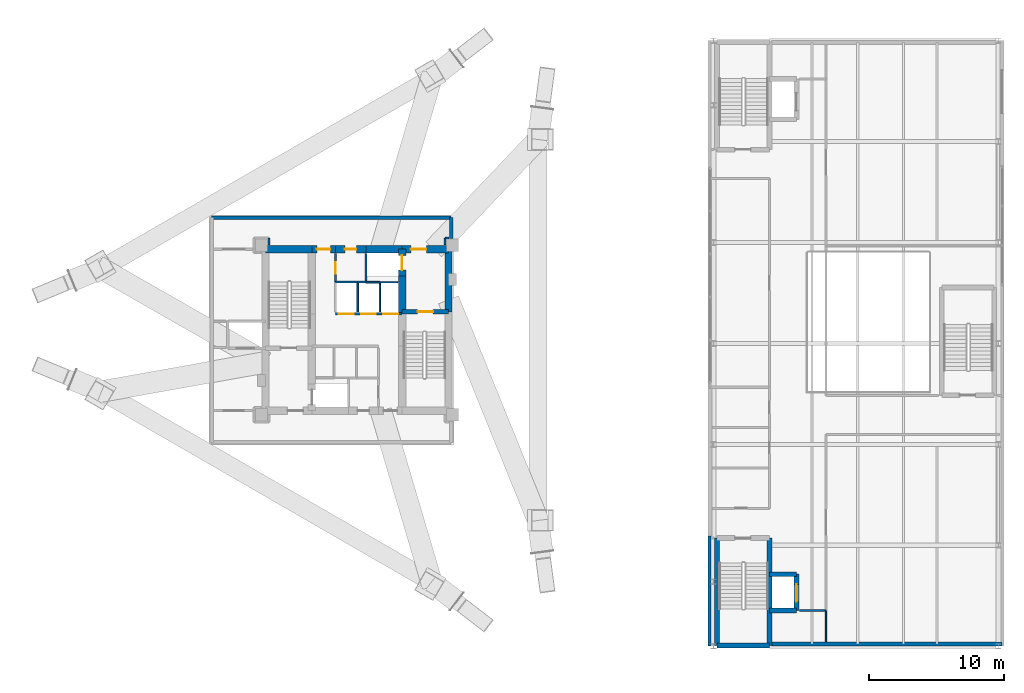
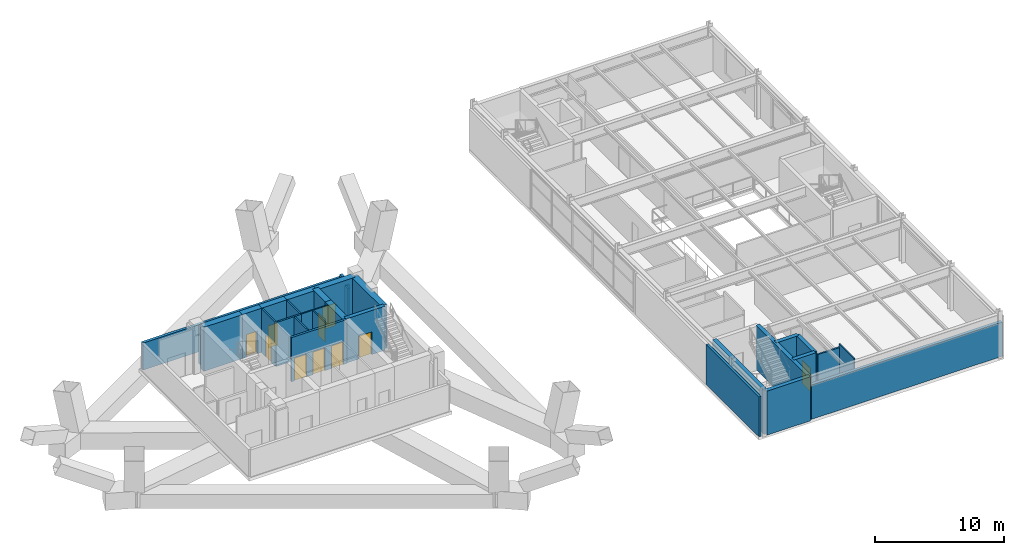
# One storey, part 12 of 16: 33 walls, 10 doors, 10 openings.
"""IFC4 building model written with IfcOpenShell, lengths in metres."""

from ifc_helpers import new_model, si_unit, direction, frame, frame_2d, origin, place, context, subcontext, project, spatial, rectangle, extrude, material, layer, layer_set, type_object, element, fill, save


model = new_model("IFC4")

# Units and contexts
model_context = context("Model", 3, precision=1e-05, world=origin(), true_north=direction((0.0, 1.0)))
body_context = subcontext(model_context, "Body", "Model", "MODEL_VIEW")
ifc_project = project(units=[si_unit("LENGTHUNIT", "METRE"), si_unit("AREAUNIT", "SQUARE_METRE"), si_unit("VOLUMEUNIT", "CUBIC_METRE"), si_unit("PLANEANGLEUNIT", "RADIAN"), si_unit("MASSUNIT", "GRAM", prefix="KILO")], contexts=[model_context])

# Site, building, storey
site_placement = place(None, origin())
site = spatial("IfcSite", under=ifc_project, at=site_placement, CompositionType="ELEMENT")
building_placement = place(site_placement, origin())
building = spatial("IfcBuilding", under=site, at=building_placement, Name="Mersakhor Tower and Convention Hall", CompositionType="ELEMENT")
storey_placement = place(building_placement, frame((0.0, 0.0, 5.10009765625)))
storey = spatial("IfcBuildingStorey", under=building, at=storey_placement, Name="L01", CompositionType="ELEMENT", Elevation=5.10009765625)

# Walls
ifc_material_1 = material(Name="Precast concrete C40/50", Category="concrete")
ifc_layer_1 = layer(ifc_material_1, 0.25)
ifc_layer_set_1 = layer_set([ifc_layer_1], Name="Precast concrete C40/50")
wall_type_1 = type_object("IfcWallType", Name="WL-EXT-250", PredefinedType="SOLIDWALL", material=ifc_layer_set_1)
wall_1_placement = place(storey_placement, frame((18.199951171875, 35.10009765625, 0.0), z_axis=(0.0, 0.0, 1.0), x_axis=(1.0, 0.0, 0.0)))
element("IfcWall", 1, at=wall_1_placement, inside=storey, type_object=wall_type_1, Name="L01 Clinic Mezzanine Exterior Wall N", PredefinedType="SOLIDWALL", context=body_context, shape_type="SweptSolid", body=[
    extrude(rectangle(XDim=17.800048828125, YDim=0.25, at=frame_2d((8.89990234375, 0.0))), origin(), (0.0, 0.0, 1.0), 2.56494140625),
])
wall_2_placement = place(storey_placement, frame((36.0, 35.10009765625, 0.0), z_axis=(0.0, 0.0, 1.0), x_axis=(0.0, -1.0, 0.0)))
element("IfcWall", 2, at=wall_2_placement, inside=storey, type_object=wall_type_1, Name="L01 Clinic Mezzanine Exterior Wall EN", PredefinedType="SOLIDWALL", context=body_context, shape_type="SweptSolid", body=[
    extrude(rectangle(XDim=1.550048828125, YDim=0.25, at=frame_2d((0.77490234375, 0.0))), origin(), (0.0, 0.0, 1.0), 2.81494140625),
])
ifc_material_2 = material(Name="Precast concrete C45/55", Category="concrete")
ifc_layer_2 = layer(ifc_material_2, 0.300048828125)
ifc_layer_set_2 = layer_set([ifc_layer_2], Name="Precast concrete C45/55")
wall_type_2 = type_object("IfcWallType", Name="WL-EXT-300", PredefinedType="SOLIDWALL", material=ifc_layer_set_2)
wall_3_placement = place(storey_placement, frame((76.925048828125, 3.39990234375, 0.0), z_axis=(0.0, 0.0, 1.0), x_axis=(-1.0, 0.0, 0.0)))
element("IfcWall", 3, at=wall_3_placement, inside=storey, type_object=wall_type_2, Name="Convention L01 Precast Facade Wall S1", PredefinedType="SOLIDWALL", context=body_context, shape_type="SweptSolid", body=[
    extrude(rectangle(XDim=17.125, YDim=0.300048828125, at=frame_2d((8.5625, 0.0))), origin(), (0.0, 0.0, 1.0), 3.23828125),
])
ifc_material_3 = material(Name="Precast concrete C40/50", Category="concrete")
ifc_layer_3 = layer(ifc_material_3, 0.199951171875)
ifc_layer_set_3 = layer_set([ifc_layer_3], Name="Precast concrete C40/50")
wall_type_3 = type_object("IfcWallType", Name="WL-PAR-200", PredefinedType="PARAPET", material=ifc_layer_set_3)
wall_4_placement = place(storey_placement, frame((55.195068359375, 3.25, 0.0), z_axis=(0.0, 0.0, 1.0), x_axis=(0.0, 1.0, 0.0)))
element("IfcWall", 4, at=wall_4_placement, inside=storey, type_object=wall_type_3, Name="Convention L01 Stair Core Facade Cladding WC1", PredefinedType="PARAPET", context=body_context, shape_type="SweptSolid", body=[
    extrude(rectangle(XDim=8.199951171875, YDim=0.199951171875, at=frame_2d((4.10009765625, 0.0))), origin(), (0.0, 0.0, 1.0), 3.789794921875),
])
ifc_material_4 = material(Name="Lightweight gypsum partition", Category="other")
ifc_layer_4 = layer(ifc_material_4, 0.10009765625)
ifc_layer_set_4 = layer_set([ifc_layer_4], Name="Lightweight gypsum partition")
wall_type_4 = type_object("IfcWallType", Name="WL-PRT-100", PredefinedType="PARTITIONING", material=ifc_layer_set_4)
wall_5_placement = place(storey_placement, frame((32.02490234375, 30.300048828125, 0.0), z_axis=(0.0, 0.0, 1.0), x_axis=(-1.0, 0.0, 0.0)))
element("IfcWall", 5, at=wall_5_placement, inside=storey, type_object=wall_type_4, Name="L01 Interior Partition Wall P-004", PredefinedType="PARTITIONING", context=body_context, shape_type="SweptSolid", body=[
    extrude(rectangle(XDim=1.324951171875, YDim=0.10009765625, at=frame_2d((0.66259765625, 0.0))), origin(), (0.0, 0.0, 1.0), 4.179931640625),
])
wall_6_placement = place(storey_placement, frame((30.699951171875, 30.300048828125, 0.0), z_axis=(0.0, 0.0, 1.0), x_axis=(0.0, -1.0, 0.0)))
element("IfcWall", 6, at=wall_6_placement, inside=storey, type_object=wall_type_4, Name="L01 Interior Partition Wall P-016", PredefinedType="PARTITIONING", context=body_context, shape_type="SweptSolid", body=[
    extrude(rectangle(XDim=2.199951171875, YDim=0.10009765625, at=frame_2d((1.10009765625, 0.0))), origin(), (0.0, 0.0, 1.0), 4.179931640625),
])
wall_7_placement = place(storey_placement, frame((63.85009765625, 3.573974609375, 0.0), z_axis=(0.0, 0.0, 1.0), x_axis=(0.0, 1.0, 0.0)))
element("IfcWall", 7, at=wall_7_placement, inside=storey, type_object=wall_type_4, Name="L01 Interior Partition Wall P-054", PredefinedType="PARTITIONING", context=body_context, shape_type="SweptSolid", body=[
    extrude(rectangle(XDim=2.325927734375, YDim=0.10009765625, at=frame_2d((1.1630859375, 0.0))), origin(), (0.0, 0.0, 1.0), 4.179931640625),
])
ifc_material_5 = material(Name="Gypsum board acoustic partition", Category="other")
ifc_layer_5 = layer(ifc_material_5, 0.125)
ifc_layer_set_5 = layer_set([ifc_layer_5], Name="Gypsum board acoustic partition")
wall_type_5 = type_object("IfcWallType", Name="WL-PRT-125", PredefinedType="PARTITIONING", material=ifc_layer_set_5)
wall_8_placement = place(storey_placement, frame((30.699951171875, 30.300048828125, 0.0), z_axis=(0.0, 0.0, 1.0), x_axis=(-1.0, 0.0, 0.0)))
element("IfcWall", 8, at=wall_8_placement, inside=storey, type_object=wall_type_5, Name="L01 Interior Partition Wall P-005", PredefinedType="PARTITIONING", context=body_context, shape_type="SweptSolid", body=[
    extrude(rectangle(XDim=1.050048828125, YDim=0.125, at=frame_2d((0.52490234375, 0.0))), origin(), (0.0, 0.0, 1.0), 4.179931640625),
])
wall_9_placement = place(storey_placement, frame((29.050048828125, 30.300048828125, 0.0), z_axis=(0.0, 0.0, 1.0), x_axis=(0.0, -1.0, 0.0)))
element("IfcWall", 9, at=wall_9_placement, inside=storey, type_object=wall_type_5, Name="L01 Interior Partition Wall P-013", PredefinedType="PARTITIONING", context=body_context, shape_type="SweptSolid", body=[
    extrude(rectangle(XDim=2.199951171875, YDim=0.125, at=frame_2d((1.10009765625, 0.0))), origin(), (0.0, 0.0, 1.0), 4.179931640625),
])
ifc_material_6 = material(Name="Fire-rated gypsum board stud partition", Category="other")
ifc_layer_6 = layer(ifc_material_6, 0.14990234375)
ifc_layer_set_6 = layer_set([ifc_layer_6], Name="Fire-rated gypsum board stud partition")
wall_type_6 = type_object("IfcWallType", Name="WL-PRT-150", PredefinedType="PARTITIONING", material=ifc_layer_set_6)
wall_10_placement = place(storey_placement, frame((29.64990234375, 30.300048828125, 0.0), z_axis=(0.0, 0.0, 1.0), x_axis=(0.0, 1.0, 0.0)))
element("IfcWall", 10, at=wall_10_placement, inside=storey, type_object=wall_type_6, Name="L01 Interior Partition Wall P-006", PredefinedType="PARTITIONING", context=body_context, shape_type="SweptSolid", body=[
    extrude(rectangle(XDim=2.125, YDim=0.14990234375, at=frame_2d((1.0625, 0.0))), origin(), (0.0, 0.0, 1.0), 4.179931640625),
])
wall_11_placement = place(storey_placement, frame((27.39990234375, 30.300048828125, 0.0), z_axis=(0.0, 0.0, 1.0), x_axis=(1.0, 0.0, 0.0)))
element("IfcWall", 11, at=wall_11_placement, inside=storey, type_object=wall_type_6, Name="L01 Interior Partition Wall P-012", PredefinedType="PARTITIONING", context=body_context, shape_type="SweptSolid", body=[
    extrude(rectangle(XDim=1.650146484375, YDim=0.14990234375, at=frame_2d((0.8251953125, 0.0))), origin(), (0.0, 0.0, 1.0), 4.179931640625),
])
wall_12_placement = place(storey_placement, frame((29.050048828125, 30.300048828125, 0.0), z_axis=(0.0, 0.0, 1.0), x_axis=(1.0, 0.0, 0.0)))
element("IfcWall", 12, at=wall_12_placement, inside=storey, type_object=wall_type_6, Name="L01 Interior Partition Wall P-015", PredefinedType="PARTITIONING", context=body_context, shape_type="SweptSolid", body=[
    extrude(rectangle(XDim=0.599853515625, YDim=0.14990234375, at=frame_2d((0.2998046875, 0.0))), origin(), (0.0, 0.0, 1.0), 4.179931640625),
])

# Wall, opening, door
wall_13_placement = place(storey_placement, frame((27.39990234375, 32.425048828125, 0.0), z_axis=(0.0, 0.0, 1.0), x_axis=(0.0, -1.0, 0.0)))
wall_13 = element("IfcWall", 13, at=wall_13_placement, inside=storey, type_object=wall_type_6, Name="L01 Interior Partition Wall P-018", PredefinedType="PARTITIONING", context=body_context, shape_type="SweptSolid", body=[
    extrude(rectangle(XDim=2.125, YDim=0.14990234375, at=frame_2d((1.0625, 0.0))), origin(), (0.0, 0.0, 1.0), 4.179931640625),
])
opening_1_placement = place(wall_13_placement, frame((0.637451171875, 0.0, 0.0)))
opening_1 = element("IfcOpeningElement", 14, at=opening_1_placement, cuts=wall_13, Name="Opening SVD-01", PredefinedType="OPENING", context=body_context, shape_type="SweptSolid", body=[
    extrude(rectangle(XDim=0.85009765625, YDim=2.10009765625, at=frame_2d((0.425048828125, 1.050048828125))), frame((0.0, 0.0849609375, 0.0), z_axis=(0.0, -1.0, 0.0), x_axis=(1.0, 0.0, 0.0)), (0.0, 0.0, 1.0), 0.169921875),
])
ifc_material_7 = material(Name="Fire-rated hardwood leaf and painted steel frame", Category="steel")
door_type_1 = type_object("IfcDoorType", Name="DR-INT-SVC-085x210", OperationType="NOTDEFINED", PredefinedType="DOOR", material=ifc_material_7)
door_1_placement = place(opening_1_placement, origin())
door_1 = element("IfcDoor", 15, at=door_1_placement, inside=storey, type_object=door_type_1, Name="L01 Central Passenger Lift Lobby to Telecoms and BMS Riser Room Door", OperationType="SINGLE_SWING_RIGHT", OverallHeight=2.10009765625, OverallWidth=0.85009765625, PredefinedType="DOOR", context=body_context, shape_type="SweptSolid", body=[
    extrude(rectangle(XDim=0.85009765625, YDim=2.10009765625, at=frame_2d((0.425048828125, 1.050048828125))), frame((0.0, 0.02490234375, 0.0), z_axis=(0.0, -1.0, 0.0), x_axis=(1.0, 0.0, 0.0)), (0.0, 0.0, 1.0), 0.050048828125),
])
fill(opening_1, door_1)

# Walls
wall_14_placement = place(storey_placement, frame((63.85009765625, 5.89990234375, 0.0), z_axis=(0.0, 0.0, 1.0), x_axis=(-1.0, 0.0, 0.0)))
element("IfcWall", 16, at=wall_14_placement, inside=storey, type_object=wall_type_6, Name="L01 Interior Partition Wall P-034", PredefinedType="PARTITIONING", context=body_context, shape_type="SweptSolid", body=[
    extrude(rectangle(XDim=1.97509765625, YDim=0.14990234375, at=frame_2d((0.987548828125, 0.0))), origin(), (0.0, 0.0, 1.0), 3.8583984375),
])
wall_15_placement = place(storey_placement, frame((35.85107421875, 33.60009765625, 0.0), z_axis=(0.0, 0.0, 1.0), x_axis=(-1.0, 0.0, 0.0)))
element("IfcWall", 17, at=wall_15_placement, inside=storey, type_object=wall_type_6, Name="L01 Interior Partition Wall P-044", PredefinedType="PARTITIONING", context=body_context, shape_type="SweptSolid", body=[
    extrude(rectangle(XDim=0.301025390625, YDim=0.14990234375, at=frame_2d((0.150390625, 0.0))), origin(), (0.0, 0.0, 1.0), 2.81494140625),
])
wall_16_placement = place(storey_placement, frame((35.550048828125, 33.60009765625, 0.0), z_axis=(0.0, 0.0, 1.0), x_axis=(0.0, -1.0, 0.0)))
element("IfcWall", 18, at=wall_16_placement, inside=storey, type_object=wall_type_6, Name="L01 Interior Partition Wall P-045", PredefinedType="PARTITIONING", context=body_context, shape_type="SweptSolid", body=[
    extrude(rectangle(XDim=0.525146484375, YDim=0.14990234375, at=frame_2d((0.2626953125, 0.0))), origin(), (0.0, 0.0, 1.0), 2.81494140625),
])
wall_17_placement = place(storey_placement, frame((22.449951171875, 33.074951171875, 0.0), z_axis=(0.0, 0.0, 1.0), x_axis=(0.0, 1.0, 0.0)))
element("IfcWall", 19, at=wall_17_placement, inside=storey, type_object=wall_type_6, Name="L01 Interior Partition Wall P-046", PredefinedType="PARTITIONING", context=body_context, shape_type="SweptSolid", body=[
    extrude(rectangle(XDim=0.525146484375, YDim=0.14990234375, at=frame_2d((0.2626953125, 0.0))), origin(), (0.0, 0.0, 1.0), 3.628173828125),
])

# Wall, openings, doors
ifc_material_8 = material(Name="Acoustic concrete blockwork and gypsum board", Category="masonry")
ifc_layer_7 = layer(ifc_material_8, 0.199951171875)
ifc_layer_set_7 = layer_set([ifc_layer_7], Name="Acoustic concrete blockwork and gypsum board")
wall_type_7 = type_object("IfcWallType", Name="WL-PRT-200", PredefinedType="PARTITIONING", material=ifc_layer_set_7)
wall_18_placement = place(storey_placement, frame((27.39990234375, 27.949951171875, 0.0), z_axis=(0.0, 0.0, 1.0), x_axis=(1.0, 0.0, 0.0)))
wall_18 = element("IfcWall", 20, at=wall_18_placement, inside=storey, type_object=wall_type_7, Name="L01 Low-Rise Lift Bank Front Wall", PredefinedType="PARTITIONING", context=body_context, shape_type="SweptSolid", body=[
    extrude(rectangle(XDim=4.9501953125, YDim=0.199951171875, at=frame_2d((2.47509765625, 0.0))), origin(), (0.0, 0.0, 1.0), 4.179931640625),
])
opening_2_placement = place(wall_18_placement, frame((0.25, 0.0, 0.0)))
opening_2 = element("IfcOpeningElement", 21, at=opening_2_placement, cuts=wall_18, Name="Opening LD-P1", PredefinedType="OPENING", context=body_context, shape_type="SweptSolid", body=[
    extrude(rectangle(XDim=1.10009765625, YDim=2.14990234375, at=frame_2d((0.550048828125, 1.074951171875))), frame((0.0, 0.10986328125, 0.0), z_axis=(0.0, -1.0, 0.0), x_axis=(1.0, 0.0, 0.0)), (0.0, 0.0, 1.0), 0.219970703125),
])
opening_3_placement = place(wall_18_placement, frame((1.89990234375, 0.0, 0.0)))
opening_3 = element("IfcOpeningElement", 22, at=opening_3_placement, cuts=wall_18, Name="Opening LD-P2", PredefinedType="OPENING", context=body_context, shape_type="SweptSolid", body=[
    extrude(rectangle(XDim=1.10009765625, YDim=2.14990234375, at=frame_2d((0.550048828125, 1.074951171875))), frame((0.0, 0.10986328125, 0.0), z_axis=(0.0, -1.0, 0.0), x_axis=(1.0, 0.0, 0.0)), (0.0, 0.0, 1.0), 0.219970703125),
])
opening_4_placement = place(wall_18_placement, frame((3.550048828125, 0.0, 0.0)))
opening_4 = element("IfcOpeningElement", 23, at=opening_4_placement, cuts=wall_18, Name="Opening LD-P3", PredefinedType="OPENING", context=body_context, shape_type="SweptSolid", body=[
    extrude(rectangle(XDim=1.10009765625, YDim=2.14990234375, at=frame_2d((0.550048828125, 1.074951171875))), frame((0.0, 0.10986328125, 0.0), z_axis=(0.0, -1.0, 0.0), x_axis=(1.0, 0.0, 0.0)), (0.0, 0.0, 1.0), 0.219970703125),
])
ifc_material_9 = material(Name="Fire-rated brushed stainless steel sliding landing door", Category="steel")
door_type_2 = type_object("IfcDoorType", Name="DR-LIFT-SLD-110x215", OperationType="NOTDEFINED", PredefinedType="DOOR", material=ifc_material_9)
door_2_placement = place(opening_2_placement, origin())
door_2 = element("IfcDoor", 24, at=door_2_placement, inside=storey, type_object=door_type_2, Name="L01 Lift Landing Door LD-P1", OperationType="SLIDING_TO_LEFT", OverallHeight=2.14990234375, OverallWidth=1.10009765625, PredefinedType="DOOR", context=body_context, shape_type="SweptSolid", body=[
    extrude(rectangle(XDim=1.10009765625, YDim=2.14990234375, at=frame_2d((0.550048828125, 1.074951171875))), frame((0.0, 0.02490234375, 0.0), z_axis=(0.0, -1.0, 0.0), x_axis=(1.0, 0.0, 0.0)), (0.0, 0.0, 1.0), 0.050048828125),
])
fill(opening_2, door_2)
door_3_placement = place(opening_3_placement, origin())
door_3 = element("IfcDoor", 25, at=door_3_placement, inside=storey, type_object=door_type_2, Name="L01 Lift Landing Door LD-P2", OperationType="SLIDING_TO_LEFT", OverallHeight=2.14990234375, OverallWidth=1.10009765625, PredefinedType="DOOR", context=body_context, shape_type="SweptSolid", body=[
    extrude(rectangle(XDim=1.10009765625, YDim=2.14990234375, at=frame_2d((0.550048828125, 1.074951171875))), frame((0.0, 0.02490234375, 0.0), z_axis=(0.0, -1.0, 0.0), x_axis=(1.0, 0.0, 0.0)), (0.0, 0.0, 1.0), 0.050048828125),
])
fill(opening_3, door_3)
door_4_placement = place(opening_4_placement, origin())
door_4 = element("IfcDoor", 26, at=door_4_placement, inside=storey, type_object=door_type_2, Name="L01 Lift Landing Door LD-P3", OperationType="SLIDING_TO_LEFT", OverallHeight=2.14990234375, OverallWidth=1.10009765625, PredefinedType="DOOR", context=body_context, shape_type="SweptSolid", body=[
    extrude(rectangle(XDim=1.10009765625, YDim=2.14990234375, at=frame_2d((0.550048828125, 1.074951171875))), frame((0.0, 0.02490234375, 0.0), z_axis=(0.0, -1.0, 0.0), x_axis=(1.0, 0.0, 0.0)), (0.0, 0.0, 1.0), 0.050048828125),
])
fill(opening_4, door_4)

# Wall, opening, door
ifc_material_10 = material(Name="Concrete C50/60", Category="concrete")
ifc_layer_8 = layer(ifc_material_10, 0.35009765625)
ifc_layer_set_8 = layer_set([ifc_layer_8], Name="Concrete C50/60")
wall_type_8 = type_object("IfcWallType", Name="WL-SHR-350", PredefinedType="SHEAR", material=ifc_layer_set_8)
wall_19_placement = place(storey_placement, frame((32.35009765625, 28.10009765625, 0.0), z_axis=(0.0, 0.0, 1.0), x_axis=(1.0, 0.0, 0.0)))
wall_19 = element("IfcWall", 27, at=wall_19_placement, inside=storey, type_object=wall_type_8, Name="L01 Core Wall CS-ST2-N", PredefinedType="SHEAR", context=body_context, shape_type="SweptSolid", body=[
    extrude(rectangle(XDim=3.449951171875, YDim=0.35009765625, at=frame_2d((1.72509765625, 0.0))), origin(), (0.0, 0.0, 1.0), 4.179931640625),
])
opening_5_placement = place(wall_19_placement, frame((1.14990234375, 0.0, 0.0)))
opening_5 = element("IfcOpeningElement", 28, at=opening_5_placement, cuts=wall_19, Name="Opening SD-01", PredefinedType="OPENING", context=body_context, shape_type="SweptSolid", body=[
    extrude(rectangle(XDim=1.14990234375, YDim=2.14990234375, at=frame_2d((0.574951171875, 1.074951171875))), frame((0.0, 0.18505859375, 0.0), z_axis=(0.0, -1.0, 0.0), x_axis=(1.0, 0.0, 0.0)), (0.0, 0.0, 1.0), 0.3701171875),
])
ifc_material_11 = material(Name="Fire-rated hardwood leaf and painted steel frame", Category="steel")
door_type_3 = type_object("IfcDoorType", Name="DR-INT-STAIR-115x215", OperationType="NOTDEFINED", PredefinedType="DOOR", material=ifc_material_11)
door_5_placement = place(opening_5_placement, origin())
door_5 = element("IfcDoor", 29, at=door_5_placement, inside=storey, type_object=door_type_3, Name="L01 Exit Stair ST-2 Enclosure Door", OperationType="SINGLE_SWING_RIGHT", OverallHeight=2.14990234375, OverallWidth=1.14990234375, PredefinedType="DOOR", context=body_context, shape_type="SweptSolid", body=[
    extrude(rectangle(XDim=1.14990234375, YDim=2.14990234375, at=frame_2d((0.574951171875, 1.074951171875))), frame((0.0, 0.02490234375, 0.0), z_axis=(0.0, -1.0, 0.0), x_axis=(1.0, 0.0, 0.0)), (0.0, 0.0, 1.0), 0.050048828125),
])
fill(opening_5, door_5)

wall_20_placement = place(storey_placement, frame((61.64990234375, 5.89990234375, 0.0), z_axis=(0.0, 0.0, 1.0), x_axis=(0.0, 1.0, 0.0)))
wall_20 = element("IfcWall", 30, at=wall_20_placement, inside=storey, type_object=wall_type_8, Name="L01 CVL1 Shaft Front Wall", PredefinedType="SHEAR", context=body_context, shape_type="SweptSolid", body=[
    extrude(rectangle(XDim=2.7001953125, YDim=0.35009765625, at=frame_2d((1.35009765625, 0.0))), origin(), (0.0, 0.0, 1.0), 4.179931640625),
])
opening_6_placement = place(wall_20_placement, frame((0.64990234375, 0.0, 0.0)))
opening_6 = element("IfcOpeningElement", 31, at=opening_6_placement, cuts=wall_20, Name="Opening LD-CVL1", PredefinedType="OPENING", context=body_context, shape_type="SweptSolid", body=[
    extrude(rectangle(XDim=1.300048828125, YDim=2.199951171875, at=frame_2d((0.64990234375, 1.10009765625))), frame((0.0, 0.18505859375, 0.0), z_axis=(0.0, -1.0, 0.0), x_axis=(1.0, 0.0, 0.0)), (0.0, 0.0, 1.0), 0.3701171875),
])
ifc_material_12 = material(Name="Fire-rated brushed stainless steel sliding landing door", Category="steel")
door_type_4 = type_object("IfcDoorType", Name="DR-LIFT-SLD-130x220", OperationType="NOTDEFINED", PredefinedType="DOOR", material=ifc_material_12)
door_6_placement = place(opening_6_placement, origin())
door_6 = element("IfcDoor", 32, at=door_6_placement, inside=storey, type_object=door_type_4, Name="L01 Convention Lift Landing Door LD-CVL1", OperationType="SLIDING_TO_LEFT", OverallHeight=2.199951171875, OverallWidth=1.300048828125, PredefinedType="DOOR", context=body_context, shape_type="SweptSolid", body=[
    extrude(rectangle(XDim=1.300048828125, YDim=2.199951171875, at=frame_2d((0.64990234375, 1.10009765625))), frame((0.0, 0.02490234375, 0.0), z_axis=(0.0, -1.0, 0.0), x_axis=(1.0, 0.0, 0.0)), (0.0, 0.0, 1.0), 0.050048828125),
])
fill(opening_6, door_6)

# Walls
for number, where, z_axis, x_axis, name in (
    (33, (59.64990234375, 8.60009765625, 0.0), (0.0, 0.0, 1.0), (1.0, 0.0, 0.0), "L01 CVL1 Shaft North Wall"),
    (34, (59.64990234375, 5.89990234375, 0.0), (0.0, 0.0, 1.0), (1.0, 0.0, 0.0), "L01 CVL1 Shaft South Wall"),
):
    element("IfcWall", number, at=place(storey_placement, frame(where, z_axis=z_axis, x_axis=x_axis)), inside=storey, type_object=wall_type_8, Name=name, PredefinedType="SHEAR", context=body_context, shape_type="SweptSolid", body=[
        extrude(rectangle(XDim=2.0, YDim=0.35009765625, at=frame_2d((1.0, 0.0))), origin(), (0.0, 0.0, 1.0), 4.179931640625),
    ])
for number, where, z_axis, x_axis, name in (
    (35, (59.64990234375, 11.300048828125, 0.0), (0.0, 0.0, 1.0), (0.0, -1.0, 0.0), "L01 CHST1 East Shear Wall"),
    (36, (55.75, 3.300048828125, 0.0), (0.0, 0.0, 1.0), (0.0, 1.0, 0.0), "L01 CHST1 West Shear Wall"),
):
    element("IfcWall", number, at=place(storey_placement, frame(where, z_axis=z_axis, x_axis=x_axis)), inside=storey, type_object=wall_type_8, Name=name, PredefinedType="SHEAR", context=body_context, shape_type="SweptSolid", body=[
        extrude(rectangle(XDim=8.0, YDim=0.35009765625, at=frame_2d((4.0, 0.0))), origin(), (0.0, 0.0, 1.0), 4.179931640625),
    ])
wall_21_placement = place(storey_placement, frame((55.75, 3.300048828125, 0.0), z_axis=(0.0, 0.0, 1.0), x_axis=(1.0, 0.0, 0.0)))
element("IfcWall", 37, at=wall_21_placement, inside=storey, type_object=wall_type_8, Name="L01 CHST1 South Shear Wall", PredefinedType="SHEAR", context=body_context, shape_type="SweptSolid", body=[
    extrude(rectangle(XDim=3.89990234375, YDim=0.35009765625, at=frame_2d((1.949951171875, 0.0))), origin(), (0.0, 0.0, 1.0), 4.179931640625),
])
ifc_material_13 = material(Name="Concrete C70/85", Category="concrete")
ifc_layer_9 = layer(ifc_material_13, 0.550048828125)
ifc_layer_set_9 = layer_set([ifc_layer_9], Name="Concrete C70/85")
wall_type_9 = type_object("IfcWallType", Name="WL-SHR-550", PredefinedType="SHEAR", material=ifc_layer_set_9)
wall_22_placement = place(storey_placement, frame((22.199951171875, 32.75, 0.0), z_axis=(0.0, 0.0, 1.0), x_axis=(1.0, 0.0, 0.0)))
element("IfcWall", 38, at=wall_22_placement, inside=storey, type_object=wall_type_9, Name="L01 Core Wall CW-N1", PredefinedType="SHEAR", context=body_context, shape_type="SweptSolid", body=[
    extrude(rectangle(XDim=3.449951171875, YDim=0.550048828125, at=frame_2d((1.72509765625, 0.0))), origin(), (0.0, 0.0, 1.0), 4.179931640625),
])

# Wall, opening, door
wall_23_placement = place(storey_placement, frame((25.64990234375, 32.75, 0.0), z_axis=(0.0, 0.0, 1.0), x_axis=(1.0, 0.0, 0.0)))
wall_23 = element("IfcWall", 39, at=wall_23_placement, inside=storey, type_object=wall_type_9, Name="L01 Core Wall CW-N2A", PredefinedType="SHEAR", context=body_context, shape_type="SweptSolid", body=[
    extrude(rectangle(XDim=1.75, YDim=0.550048828125, at=frame_2d((0.875, 0.0))), origin(), (0.0, 0.0, 1.0), 4.179931640625),
])
opening_7_placement = place(wall_23_placement, frame((0.375, 0.0, 0.0)))
opening_7 = element("IfcOpeningElement", 40, at=opening_7_placement, cuts=wall_23, Name="Opening CFD-01", PredefinedType="OPENING", context=body_context, shape_type="SweptSolid", body=[
    extrude(rectangle(XDim=1.0, YDim=2.14990234375, at=frame_2d((0.5, 1.074951171875))), frame((0.0, 0.284912109375, 0.0), z_axis=(0.0, -1.0, 0.0), x_axis=(1.0, 0.0, 0.0)), (0.0, 0.0, 1.0), 0.570068359375),
])
ifc_material_14 = material(Name="Fire-rated hardwood leaf and painted steel frame", Category="steel")
door_type_5 = type_object("IfcDoorType", Name="DR-CORE-FD-100x215", OperationType="NOTDEFINED", PredefinedType="DOOR", material=ifc_material_14)
door_7_placement = place(opening_7_placement, origin())
door_7 = element("IfcDoor", 41, at=door_7_placement, inside=storey, type_object=door_type_5, Name="L01 Lift Lobby North Corridor Door", OperationType="SINGLE_SWING_LEFT", OverallHeight=2.14990234375, OverallWidth=1.0, PredefinedType="DOOR", context=body_context, shape_type="SweptSolid", body=[
    extrude(rectangle(XDim=1.0, YDim=2.14990234375, at=frame_2d((0.5, 1.074951171875))), frame((0.0, 0.02490234375, 0.0), z_axis=(0.0, -1.0, 0.0), x_axis=(1.0, 0.0, 0.0)), (0.0, 0.0, 1.0), 0.050048828125),
])
fill(opening_7, door_7)

wall_24_placement = place(storey_placement, frame((27.39990234375, 32.75, 0.0), z_axis=(0.0, 0.0, 1.0), x_axis=(1.0, 0.0, 0.0)))
wall_24 = element("IfcWall", 42, at=wall_24_placement, inside=storey, type_object=wall_type_9, Name="L01 Core Wall CW-N2B", PredefinedType="SHEAR", context=body_context, shape_type="SweptSolid", body=[
    extrude(rectangle(XDim=2.25, YDim=0.550048828125, at=frame_2d((1.125, 0.0))), origin(), (0.0, 0.0, 1.0), 4.179931640625),
])
opening_8_placement = place(wall_24_placement, frame((0.699951171875, 0.0, 0.0)))
opening_8 = element("IfcOpeningElement", 43, at=opening_8_placement, cuts=wall_24, Name="Opening SVD-01", PredefinedType="OPENING", context=body_context, shape_type="SweptSolid", body=[
    extrude(rectangle(XDim=0.85009765625, YDim=2.10009765625, at=frame_2d((0.425048828125, 1.050048828125))), frame((0.0, 0.284912109375, 0.0), z_axis=(0.0, -1.0, 0.0), x_axis=(1.0, 0.0, 0.0)), (0.0, 0.0, 1.0), 0.570068359375),
])
door_8_placement = place(opening_8_placement, origin())
door_8 = element("IfcDoor", 44, at=door_8_placement, inside=storey, type_object=door_type_1, Name="L01 Clinic Mezzanine North Corridor to Telecoms and BMS Riser Room Door", OperationType="SINGLE_SWING_LEFT", OverallHeight=2.10009765625, OverallWidth=0.85009765625, PredefinedType="DOOR", context=body_context, shape_type="SweptSolid", body=[
    extrude(rectangle(XDim=0.85009765625, YDim=2.10009765625, at=frame_2d((0.425048828125, 1.050048828125))), frame((0.0, 0.02490234375, 0.0), z_axis=(0.0, -1.0, 0.0), x_axis=(1.0, 0.0, 0.0)), (0.0, 0.0, 1.0), 0.050048828125),
])
fill(opening_8, door_8)

# Wall
wall_25_placement = place(storey_placement, frame((29.64990234375, 32.75, 0.0), z_axis=(0.0, 0.0, 1.0), x_axis=(1.0, 0.0, 0.0)))
element("IfcWall", 45, at=wall_25_placement, inside=storey, type_object=wall_type_9, Name="L01 Core Wall CW-N3", PredefinedType="SHEAR", context=body_context, shape_type="SweptSolid", body=[
    extrude(rectangle(XDim=2.7001953125, YDim=0.550048828125, at=frame_2d((1.35009765625, 0.0))), origin(), (0.0, 0.0, 1.0), 4.179931640625),
])

# Wall, opening, door
wall_26_placement = place(storey_placement, frame((32.35009765625, 32.75, 0.0), z_axis=(0.0, 0.0, 1.0), x_axis=(1.0, 0.0, 0.0)))
wall_26 = element("IfcWall", 46, at=wall_26_placement, inside=storey, type_object=wall_type_9, Name="L01 Core Wall CW-N4", PredefinedType="SHEAR", context=body_context, shape_type="SweptSolid", body=[
    extrude(rectangle(XDim=3.449951171875, YDim=0.550048828125, at=frame_2d((1.72509765625, 0.0))), origin(), (0.0, 0.0, 1.0), 4.179931640625),
])
opening_9_placement = place(wall_26_placement, frame((0.64990234375, 0.0, 0.0)))
opening_9 = element("IfcOpeningElement", 47, at=opening_9_placement, cuts=wall_26, Name="Opening SD-01", PredefinedType="OPENING", context=body_context, shape_type="SweptSolid", body=[
    extrude(rectangle(XDim=1.14990234375, YDim=2.14990234375, at=frame_2d((0.574951171875, 1.074951171875))), frame((0.0, 0.284912109375, 0.0), z_axis=(0.0, -1.0, 0.0), x_axis=(1.0, 0.0, 0.0)), (0.0, 0.0, 1.0), 0.570068359375),
])
door_9_placement = place(opening_9_placement, origin())
door_9 = element("IfcDoor", 48, at=door_9_placement, inside=storey, type_object=door_type_3, Name="L01 Firefighting Lobby East Fire Door", OperationType="SINGLE_SWING_RIGHT", OverallHeight=2.14990234375, OverallWidth=1.14990234375, PredefinedType="DOOR", context=body_context, shape_type="SweptSolid", body=[
    extrude(rectangle(XDim=1.14990234375, YDim=2.14990234375, at=frame_2d((0.574951171875, 1.074951171875))), frame((0.0, 0.02490234375, 0.0), z_axis=(0.0, -1.0, 0.0), x_axis=(1.0, 0.0, 0.0)), (0.0, 0.0, 1.0), 0.050048828125),
])
fill(opening_9, door_9)

# Walls
wall_27_placement = place(storey_placement, frame((35.800048828125, 32.75, 0.0), z_axis=(0.0, 0.0, 1.0), x_axis=(0.0, -1.0, 0.0)))
element("IfcWall", 49, at=wall_27_placement, inside=storey, type_object=wall_type_9, Name="L01 Core Wall CW-E1", PredefinedType="SHEAR", context=body_context, shape_type="SweptSolid", body=[
    extrude(rectangle(XDim=4.64990234375, YDim=0.550048828125, at=frame_2d((2.324951171875, 0.0))), origin(), (0.0, 0.0, 1.0), 4.179931640625),
])
wall_28_placement = place(storey_placement, frame((32.35009765625, 27.949951171875, 0.0), z_axis=(0.0, 0.0, 1.0), x_axis=(0.0, 1.0, 0.0)))
element("IfcWall", 50, at=wall_28_placement, inside=storey, type_object=wall_type_9, Name="L01 Core Wall CS-E-MID", PredefinedType="SHEAR", context=body_context, shape_type="SweptSolid", body=[
    extrude(rectangle(XDim=2.800048828125, YDim=0.550048828125, at=frame_2d((1.39990234375, 0.0))), origin(), (0.0, 0.0, 1.0), 4.179931640625),
])

# Wall, opening, door
wall_29_placement = place(storey_placement, frame((32.35009765625, 30.75, 0.0), z_axis=(0.0, 0.0, 1.0), x_axis=(0.0, 1.0, 0.0)))
wall_29 = element("IfcWall", 51, at=wall_29_placement, inside=storey, type_object=wall_type_9, Name="L01 Core Wall CS-E-FFL", PredefinedType="SHEAR", context=body_context, shape_type="SweptSolid", body=[
    extrude(rectangle(XDim=2.0, YDim=0.550048828125, at=frame_2d((1.0, 0.0))), origin(), (0.0, 0.0, 1.0), 4.179931640625),
])
opening_10_placement = place(wall_29_placement, frame((0.449951171875, 0.0, 0.0)))
opening_10 = element("IfcOpeningElement", 52, at=opening_10_placement, cuts=wall_29, Name="Opening LD-FFL2", PredefinedType="OPENING", context=body_context, shape_type="SweptSolid", body=[
    extrude(rectangle(XDim=1.10009765625, YDim=2.14990234375, at=frame_2d((0.550048828125, 1.074951171875))), frame((0.0, 0.284912109375, 0.0), z_axis=(0.0, -1.0, 0.0), x_axis=(1.0, 0.0, 0.0)), (0.0, 0.0, 1.0), 0.570068359375),
])
door_10_placement = place(opening_10_placement, origin())
door_10 = element("IfcDoor", 53, at=door_10_placement, inside=storey, type_object=door_type_2, Name="L01 Firefighting Lift Landing Door LD-FFL2", OperationType="SLIDING_TO_LEFT", OverallHeight=2.14990234375, OverallWidth=1.10009765625, PredefinedType="DOOR", context=body_context, shape_type="SweptSolid", body=[
    extrude(rectangle(XDim=1.10009765625, YDim=2.14990234375, at=frame_2d((0.550048828125, 1.074951171875))), frame((0.0, 0.02490234375, 0.0), z_axis=(0.0, -1.0, 0.0), x_axis=(1.0, 0.0, 0.0)), (0.0, 0.0, 1.0), 0.050048828125),
])
fill(opening_10, door_10)

save(model, "model.ifc")
